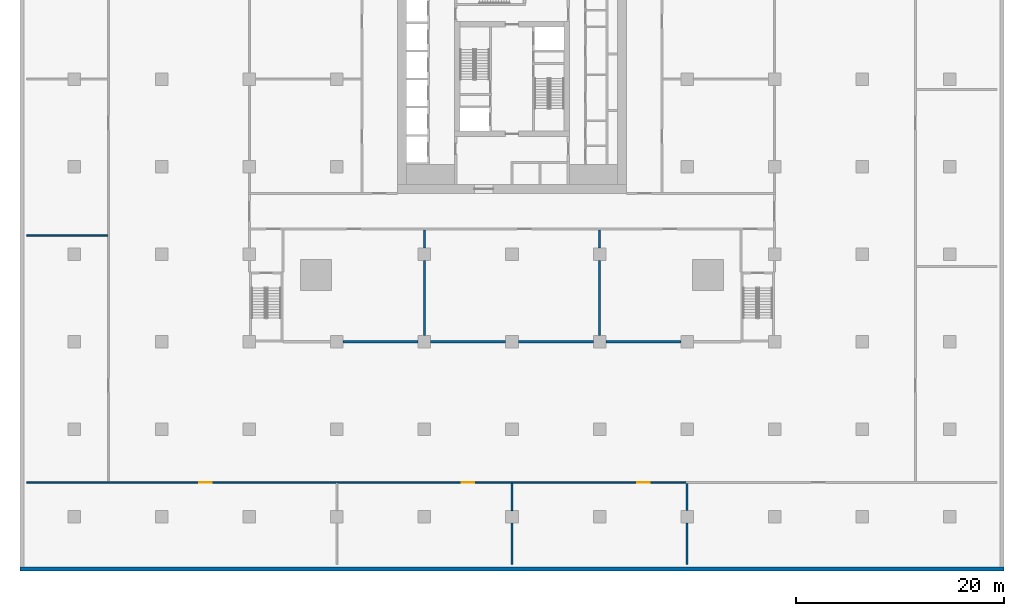
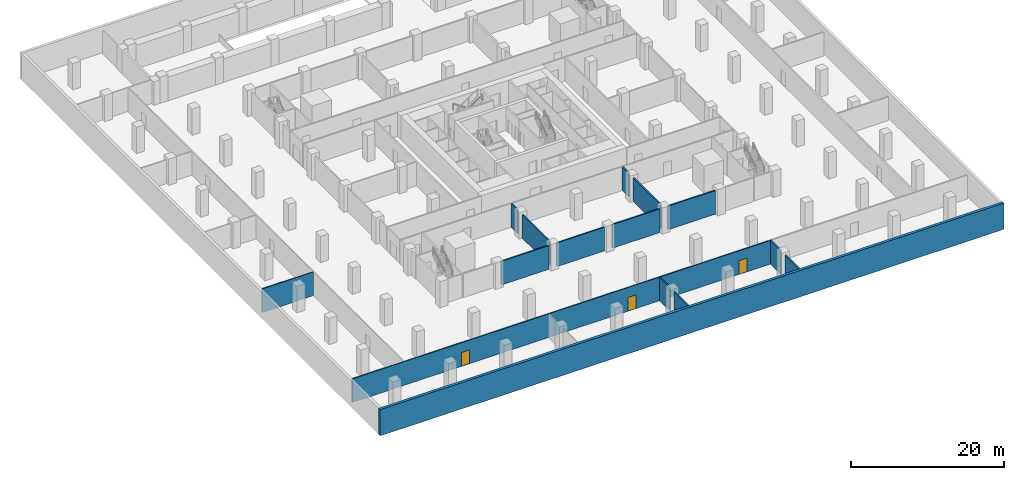
# One storey, part 3 of 16: 15 walls, 3 doors, 3 openings.
"""IFC4 building model written with IfcOpenShell, lengths in metres."""

from ifc_helpers import new_model, si_unit, direction, frame, frame_2d, origin, place, context, subcontext, project, spatial, rectangle, extrude, material, layer, layer_set, type_object, element, fill, save


model = new_model("IFC4")

# Units and contexts
model_context = context("Model", 3, precision=1e-05, world=origin(), true_north=direction((0.0, 1.0)))
body_context = subcontext(model_context, "Body", "Model", "MODEL_VIEW")
ifc_project = project(units=[si_unit("LENGTHUNIT", "METRE"), si_unit("AREAUNIT", "SQUARE_METRE"), si_unit("VOLUMEUNIT", "CUBIC_METRE"), si_unit("PLANEANGLEUNIT", "RADIAN"), si_unit("MASSUNIT", "GRAM", prefix="KILO")], contexts=[model_context])

# Site, building, storey
site_placement = place(None, origin())
site = spatial("IfcSite", under=ifc_project, at=site_placement, CompositionType="ELEMENT")
building_placement = place(site_placement, origin())
building = spatial("IfcBuilding", under=site, at=building_placement, Name="Khepri Terraces", CompositionType="ELEMENT")
storey_placement = place(building_placement, frame((0.0, 0.0, -4.199951171875)))
storey = spatial("IfcBuildingStorey", under=building, at=storey_placement, Name="B1", CompositionType="ELEMENT", Elevation=-4.199951171875)

# Wall
ifc_material_1 = material(Name="Concrete C60/75", Category="concrete")
ifc_layer_1 = layer(ifc_material_1, 0.39990234375, Name="Concrete C60/75", Category="concrete")
ifc_layer_set_1 = layer_set([ifc_layer_1], Name="Concrete C60/75")
wall_type_1 = type_object("IfcWallType", Name="Retaining wall RW1", PredefinedType="USERDEFINED", material=ifc_layer_set_1)
wall_1_placement = place(storey_placement, frame((-47.199951171875, -47.0, 0.0), z_axis=(0.0, 0.0, 1.0), x_axis=(1.0, 0.0, 0.0)))
element("IfcWall", 1, at=wall_1_placement, inside=storey, type_object=wall_type_1, Name="Basement retaining wall S B1", ObjectType="RETAINING WALL", PredefinedType="USERDEFINED", context=body_context, shape_type="SweptSolid", body=[
    extrude(rectangle(XDim=94.39990234375, YDim=0.39990234375, at=frame_2d((47.199951171875, 0.0))), origin(), (0.0, 0.0, 1.0), 4.199951171875),
])

# Wall, openings, doors
ifc_material_2 = material(Name="Gypsum board partition")
ifc_layer_2 = layer(ifc_material_2, 0.14990234375, Name="Gypsum board partition")
ifc_layer_set_2 = layer_set([ifc_layer_2], Name="Gypsum board partition")
wall_type_2 = type_object("IfcWallType", Name="WL-POD-150", PredefinedType="PARTITIONING", material=ifc_layer_set_2)
wall_2_placement = place(storey_placement, frame((-46.550048828125, -38.699951171875, 0.0), z_axis=(0.0, 0.0, 1.0), x_axis=(1.0, 0.0, 0.0)))
wall_2 = element("IfcWall", 2, at=wall_2_placement, inside=storey, type_object=wall_type_2, Name="Partition B1-PW001", PredefinedType="PARTITIONING", context=body_context, shape_type="SweptSolid", body=[
    extrude(rectangle(XDim=63.449951171875, YDim=0.14990234375, at=frame_2d((31.72509765625, 0.0))), origin(), (0.0, 0.0, 1.0), 3.780029296875),
])
opening_1_placement = place(wall_2_placement, frame((16.550048828125, 0.0, 0.0)))
opening_1 = element("IfcOpeningElement", 3, at=opening_1_placement, cuts=wall_2, Name="Opening B1-P01", PredefinedType="OPENING", context=body_context, shape_type="SweptSolid", body=[
    extrude(rectangle(XDim=1.199951171875, YDim=2.199951171875, at=frame_2d((0.60009765625, 1.10009765625))), frame((0.0, 0.0849609375, 0.0), z_axis=(0.0, -1.0, 0.0), x_axis=(1.0, 0.0, 0.0)), (0.0, 0.0, 1.0), 0.169921875),
])
opening_2_placement = place(wall_2_placement, frame((41.75, 0.0, 0.0)))
opening_2 = element("IfcOpeningElement", 4, at=opening_2_placement, cuts=wall_2, Name="Opening B1-P02", PredefinedType="OPENING", context=body_context, shape_type="SweptSolid", body=[
    extrude(rectangle(XDim=1.199951171875, YDim=2.199951171875, at=frame_2d((0.60009765625, 1.10009765625))), frame((0.0, 0.0849609375, 0.0), z_axis=(0.0, -1.0, 0.0), x_axis=(1.0, 0.0, 0.0)), (0.0, 0.0, 1.0), 0.169921875),
])
opening_3_placement = place(wall_2_placement, frame((58.550048828125, 0.0, 0.0)))
opening_3 = element("IfcOpeningElement", 5, at=opening_3_placement, cuts=wall_2, Name="Opening B1-P03", PredefinedType="OPENING", context=body_context, shape_type="SweptSolid", body=[
    extrude(rectangle(XDim=1.199951171875, YDim=2.199951171875, at=frame_2d((0.60009765625, 1.10009765625))), frame((0.0, 0.0849609375, 0.0), z_axis=(0.0, -1.0, 0.0), x_axis=(1.0, 0.0, 0.0)), (0.0, 0.0, 1.0), 0.169921875),
])
ifc_material_3 = material(Name="Timber veneer", Category="wood")
door_type = type_object("IfcDoorType", Name="DR-POD-SINGLE-1200", OperationType="NOTDEFINED", PredefinedType="DOOR", material=ifc_material_3)
door_1_placement = place(opening_1_placement, origin())
door_1 = element("IfcDoor", 6, at=door_1_placement, inside=storey, type_object=door_type, Name="Door B1-P01", OperationType="SINGLE_SWING_RIGHT", OverallHeight=2.199951171875, OverallWidth=1.199951171875, PredefinedType="DOOR", context=body_context, shape_type="SweptSolid", body=[
    extrude(rectangle(XDim=1.199951171875, YDim=2.199951171875, at=frame_2d((0.60009765625, 1.10009765625))), frame((0.0, 0.02490234375, 0.0), z_axis=(0.0, -1.0, 0.0), x_axis=(1.0, 0.0, 0.0)), (0.0, 0.0, 1.0), 0.050048828125),
])
fill(opening_1, door_1)
door_2_placement = place(opening_2_placement, origin())
door_2 = element("IfcDoor", 7, at=door_2_placement, inside=storey, type_object=door_type, Name="Door B1-P02", OperationType="SINGLE_SWING_LEFT", OverallHeight=2.199951171875, OverallWidth=1.199951171875, PredefinedType="DOOR", context=body_context, shape_type="SweptSolid", body=[
    extrude(rectangle(XDim=1.199951171875, YDim=2.199951171875, at=frame_2d((0.60009765625, 1.10009765625))), frame((0.0, 0.02490234375, 0.0), z_axis=(0.0, -1.0, 0.0), x_axis=(1.0, 0.0, 0.0)), (0.0, 0.0, 1.0), 0.050048828125),
])
fill(opening_2, door_2)
door_3_placement = place(opening_3_placement, origin())
door_3 = element("IfcDoor", 8, at=door_3_placement, inside=storey, type_object=door_type, Name="Door B1-P03", OperationType="SINGLE_SWING_LEFT", OverallHeight=2.199951171875, OverallWidth=1.199951171875, PredefinedType="DOOR", context=body_context, shape_type="SweptSolid", body=[
    extrude(rectangle(XDim=1.199951171875, YDim=2.199951171875, at=frame_2d((0.60009765625, 1.10009765625))), frame((0.0, 0.02490234375, 0.0), z_axis=(0.0, -1.0, 0.0), x_axis=(1.0, 0.0, 0.0)), (0.0, 0.0, 1.0), 0.050048828125),
])
fill(opening_3, door_3)

# Walls
wall_3_placement = place(storey_placement, frame((-46.550048828125, -15.0, 0.0), z_axis=(0.0, 0.0, 1.0), x_axis=(1.0, 0.0, 0.0)))
element("IfcWall", 9, at=wall_3_placement, inside=storey, type_object=wall_type_2, Name="Partition B1-PW010", PredefinedType="PARTITIONING", context=body_context, shape_type="SweptSolid", body=[
    extrude(rectangle(XDim=7.775146484375, YDim=0.14990234375, at=frame_2d((3.8876953125, 0.0))), origin(), (0.0, 0.0, 1.0), 3.780029296875),
])
wall_4_placement = place(storey_placement, frame((0.0, -46.550048828125, 0.0), z_axis=(0.0, 0.0, 1.0), x_axis=(0.0, 1.0, 0.0)))
element("IfcWall", 10, at=wall_4_placement, inside=storey, type_object=wall_type_2, Name="Partition B1-PW083", PredefinedType="PARTITIONING", context=body_context, shape_type="SweptSolid", body=[
    extrude(rectangle(XDim=3.949951171875, YDim=0.14990234375, at=frame_2d((1.97509765625, 0.0))), origin(), (0.0, 0.0, 1.0), 3.780029296875),
])
wall_5_placement = place(storey_placement, frame((0.0, -41.39990234375, 0.0), z_axis=(0.0, 0.0, 1.0), x_axis=(0.0, 1.0, 0.0)))
element("IfcWall", 11, at=wall_5_placement, inside=storey, type_object=wall_type_2, Name="Partition B1-PW084", PredefinedType="PARTITIONING", context=body_context, shape_type="SweptSolid", body=[
    extrude(rectangle(XDim=2.625, YDim=0.14990234375, at=frame_2d((1.3125, 0.0))), origin(), (0.0, 0.0, 1.0), 3.780029296875),
])
ifc_material_4 = material(Name="Fire-rated block wall")
ifc_layer_3 = layer(ifc_material_4, 0.199951171875, Name="Fire-rated block wall")
ifc_layer_set_3 = layer_set([ifc_layer_3], Name="Fire-rated block wall")
wall_type_3 = type_object("IfcWallType", Name="WL-POD-200-EI120", PredefinedType="PARTITIONING", material=ifc_layer_set_3)
for number, where, z_axis, x_axis, name in (
    (12, (-16.199951171875, -25.199951171875, 0.0), (0.0, 0.0, 1.0), (1.0, 0.0, 0.0), "Partition B1-PW004"),
    (13, (-7.800048828125, -25.199951171875, 0.0), (0.0, 0.0, 1.0), (1.0, 0.0, 0.0), "Partition B1-PW005"),
    (14, (0.60009765625, -25.199951171875, 0.0), (0.0, 0.0, 1.0), (1.0, 0.0, 0.0), "Partition B1-PW006"),
    (15, (9.0, -25.199951171875, 0.0), (0.0, 0.0, 1.0), (1.0, 0.0, 0.0), "Partition B1-PW007"),
):
    element("IfcWall", number, at=place(storey_placement, frame(where, z_axis=z_axis, x_axis=x_axis)), inside=storey, type_object=wall_type_3, Name=name, PredefinedType="PARTITIONING", context=body_context, shape_type="SweptSolid", body=[
        extrude(rectangle(XDim=7.199951171875, YDim=0.199951171875, at=frame_2d((3.60009765625, 0.0))), origin(), (0.0, 0.0, 1.0), 3.780029296875),
    ])
wall_6_placement = place(storey_placement, frame((-8.39990234375, -24.60009765625, 0.0), z_axis=(0.0, 0.0, 1.0), x_axis=(0.0, 1.0, 0.0)))
element("IfcWall", 16, at=wall_6_placement, inside=storey, type_object=wall_type_3, Name="Partition B1-PW079", PredefinedType="PARTITIONING", context=body_context, shape_type="SweptSolid", body=[
    extrude(rectangle(XDim=7.2001953125, YDim=0.199951171875, at=frame_2d((3.60009765625, 0.0))), origin(), (0.0, 0.0, 1.0), 3.780029296875),
])
wall_7_placement = place(storey_placement, frame((-8.39990234375, -16.199951171875, 0.0), z_axis=(0.0, 0.0, 1.0), x_axis=(0.0, 1.0, 0.0)))
element("IfcWall", 17, at=wall_7_placement, inside=storey, type_object=wall_type_3, Name="Partition B1-PW080", PredefinedType="PARTITIONING", context=body_context, shape_type="SweptSolid", body=[
    extrude(rectangle(XDim=1.699951171875, YDim=0.199951171875, at=frame_2d((0.85009765625, 0.0))), origin(), (0.0, 0.0, 1.0), 3.780029296875),
])
wall_8_placement = place(storey_placement, frame((8.39990234375, -24.60009765625, 0.0), z_axis=(0.0, 0.0, 1.0), x_axis=(0.0, 1.0, 0.0)))
element("IfcWall", 18, at=wall_8_placement, inside=storey, type_object=wall_type_3, Name="Partition B1-PW087", PredefinedType="PARTITIONING", context=body_context, shape_type="SweptSolid", body=[
    extrude(rectangle(XDim=7.2001953125, YDim=0.199951171875, at=frame_2d((3.60009765625, 0.0))), origin(), (0.0, 0.0, 1.0), 3.780029296875),
])
wall_9_placement = place(storey_placement, frame((8.39990234375, -16.199951171875, 0.0), z_axis=(0.0, 0.0, 1.0), x_axis=(0.0, 1.0, 0.0)))
element("IfcWall", 19, at=wall_9_placement, inside=storey, type_object=wall_type_3, Name="Partition B1-PW088", PredefinedType="PARTITIONING", context=body_context, shape_type="SweptSolid", body=[
    extrude(rectangle(XDim=1.699951171875, YDim=0.199951171875, at=frame_2d((0.85009765625, 0.0))), origin(), (0.0, 0.0, 1.0), 3.780029296875),
])
wall_10_placement = place(storey_placement, frame((16.800048828125, -46.550048828125, 0.0), z_axis=(0.0, 0.0, 1.0), x_axis=(0.0, 1.0, 0.0)))
element("IfcWall", 20, at=wall_10_placement, inside=storey, type_object=wall_type_3, Name="Partition B1-PW092", PredefinedType="PARTITIONING", context=body_context, shape_type="SweptSolid", body=[
    extrude(rectangle(XDim=3.949951171875, YDim=0.199951171875, at=frame_2d((1.97509765625, 0.0))), origin(), (0.0, 0.0, 1.0), 3.780029296875),
])
wall_11_placement = place(storey_placement, frame((16.800048828125, -41.39990234375, 0.0), z_axis=(0.0, 0.0, 1.0), x_axis=(0.0, 1.0, 0.0)))
element("IfcWall", 21, at=wall_11_placement, inside=storey, type_object=wall_type_3, Name="Partition B1-PW093", PredefinedType="PARTITIONING", context=body_context, shape_type="SweptSolid", body=[
    extrude(rectangle(XDim=2.599853515625, YDim=0.199951171875, at=frame_2d((1.2998046875, 0.0))), origin(), (0.0, 0.0, 1.0), 3.780029296875),
])

save(model, "model.ifc")
